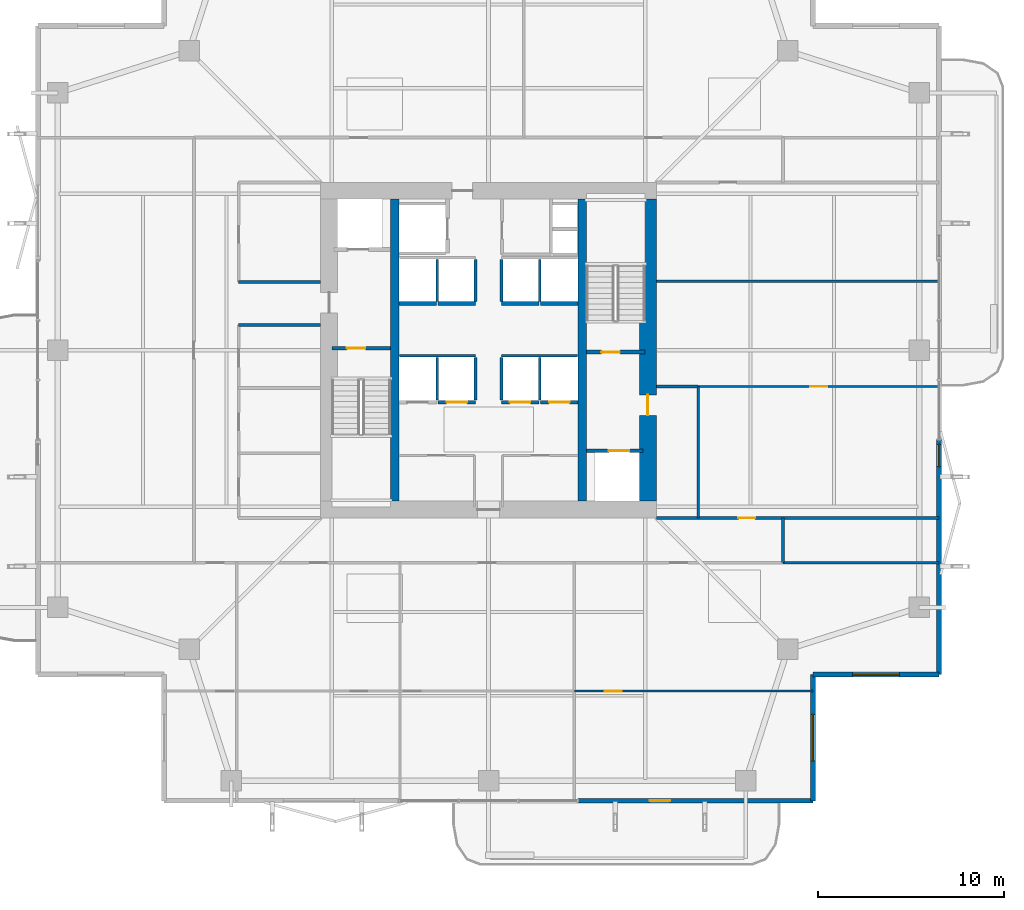
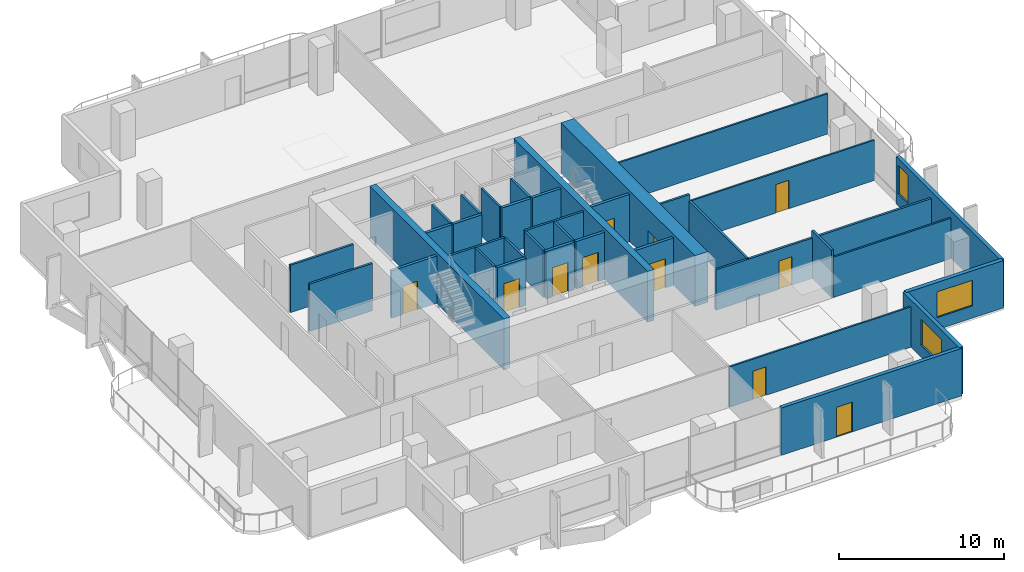
# One storey, part 19 of 24: 37 walls, 11 doors, 3 windows, 14 openings.
"""IFC4 building model written with IfcOpenShell, lengths in metres."""

import ifcopenshell
import ifcopenshell.guid

model = None  # the IFC model being written
_history = None  # IfcOwnerHistory: only IFC2X3 demands one
_inside = {}  # id of a spatial element -> (the spatial element, [elements in it])
_under = {}  # id of a project, library or spatial element -> (it, [spatial elements below it])
_declared = {}  # id of a project -> (the project, [libraries it declares])
_typed = {}  # id of a type object -> (the type object, [elements of that type])
_made_of = {}  # id of a material, layer set ... -> (it, [elements and type objects made of it])


def new_model(schema):
    """Start an empty IFC model of exactly this schema.

    Asked for "IFC4X3", IfcOpenShell would pick the latest addendum, in which some entities
    have other attributes; the version numbers below select the first issue.
    IFC2X3 requires an IfcOwnerHistory on every rooted entity: one is made here for all.
    """
    global model, _history
    if schema == "IFC4X3":
        model = ifcopenshell.file(schema_version=(4, 3, 0, 0))
    else:
        model = ifcopenshell.file(schema=schema)
    _inside.clear()
    _under.clear()
    _declared.clear()
    _typed.clear()
    _made_of.clear()
    _history = None
    if model.schema == "IFC2X3":
        org = make("IfcOrganization", Name="unknown")
        user = make(
            "IfcPersonAndOrganization",
            ThePerson=make("IfcPerson", FamilyName="unknown"),
            TheOrganization=org,
        )
        app = make(
            "IfcApplication",
            ApplicationDeveloper=org,
            Version="unknown",
            ApplicationFullName="unknown",
            ApplicationIdentifier="unknown",
        )
        _history = make(
            "IfcOwnerHistory",
            OwningUser=user,
            OwningApplication=app,
            ChangeAction="ADDED",
            CreationDate=0,
        )
    return model


def make(cls, **values):
    """One entity of the class cls with the attributes given. An attribute that is None is left unset."""
    return model.create_entity(
        cls, **{name: value for name, value in values.items() if value is not None}
    )


def rooted(cls, **values):
    """An entity with a GlobalId (a new one), such as an element, a storey or a relation."""
    return make(cls, GlobalId=ifcopenshell.guid.new(), OwnerHistory=_history, **values)


def si_unit(unit_type, name, prefix=None):
    """IfcSIUnit, for example si_unit("LENGTHUNIT", "METRE", prefix="MILLI")."""
    return make("IfcSIUnit", UnitType=unit_type, Prefix=prefix, Name=name)


def assignment(units):
    """IfcUnitAssignment: the units of a project."""
    return None if units is None else make("IfcUnitAssignment", Units=units)


def point(xyz):
    """IfcCartesianPoint."""
    return None if xyz is None else make("IfcCartesianPoint", Coordinates=xyz)


def direction(xyz):
    """IfcDirection."""
    return None if xyz is None else make("IfcDirection", DirectionRatios=xyz)


def frame(location, z_axis=None, x_axis=None):
    """IfcAxis2Placement3D, a coordinate frame: its origin and axes. An axis left out is left unset."""
    return make(
        "IfcAxis2Placement3D",
        Location=point(location),
        Axis=direction(z_axis),
        RefDirection=direction(x_axis),
    )


def frame_2d(location, x_axis=None):
    """IfcAxis2Placement2D, a coordinate frame in the plane: its origin and x axis."""
    return make(
        "IfcAxis2Placement2D", Location=point(location), RefDirection=direction(x_axis)
    )


def origin():
    """The frame at (0, 0, 0) with its axes left unset."""
    return frame((0.0, 0.0, 0.0))


def place(relative_to, where):
    """IfcLocalPlacement: puts the frame where relative to a parent placement (None: the world)."""
    return make(
        "IfcLocalPlacement", PlacementRelTo=relative_to, RelativePlacement=where
    )


def context(
    kind, dimensions, precision=None, world=None, true_north=None, identifier=None
):
    """IfcGeometricRepresentationContext, for example the 3D "Model" context."""
    return make(
        "IfcGeometricRepresentationContext",
        ContextIdentifier=identifier,
        ContextType=kind,
        CoordinateSpaceDimension=dimensions,
        Precision=precision,
        WorldCoordinateSystem=world,
        TrueNorth=true_north,
    )


def subcontext(parent, identifier, kind, view, scale=None):
    """IfcGeometricRepresentationSubContext, for example "Body" below "Model"."""
    return make(
        "IfcGeometricRepresentationSubContext",
        ContextIdentifier=identifier,
        ContextType=kind,
        ParentContext=parent,
        TargetScale=scale,
        TargetView=view,
    )


def project(units=None, contexts=None):
    """IfcProject with its units and contexts."""
    return rooted(
        "IfcProject",
        Name="project",
        RepresentationContexts=contexts,
        UnitsInContext=assignment(units),
    )


def spatial(cls, under=None, at=None, **own):
    """A site, building, storey or space (cls), placed at a placement, below another one or the project."""
    s = rooted(cls, ObjectPlacement=at, **own)
    if under is not None:
        _under.setdefault(under.id(), (under, []))[1].append(s)
    return s


def profile(cls, at=None, kind="AREA", **sizes):
    """A parametric profile (cls). Its sizes go by their IFC names, for example OverallWidth=200.0."""
    return make(cls, ProfileType=kind, Position=at, **sizes)


def rectangle(**sizes):
    """IfcRectangleProfileDef."""
    return profile("IfcRectangleProfileDef", **sizes)


def extrude(swept, where, along, depth):
    """IfcExtrudedAreaSolid: the profile swept, set in the frame where, extruded along a direction by depth."""
    return make(
        "IfcExtrudedAreaSolid",
        SweptArea=swept,
        Position=where,
        ExtrudedDirection=direction(along),
        Depth=depth,
    )


def shape(context_of_items, identifier, shape_type, items):
    """IfcShapeRepresentation: the items that make up one representation, for example the "Body"."""
    return make(
        "IfcShapeRepresentation",
        ContextOfItems=context_of_items,
        RepresentationIdentifier=identifier,
        RepresentationType=shape_type,
        Items=items,
    )


def material(Name=None, Category=None):
    """IfcMaterial."""
    return make("IfcMaterial", Name=Name, Category=Category)


def layer(
    of_material, thickness, ventilated=None, Name=None, Category=None, Priority=None
):
    """IfcMaterialLayer: one layer of a wall or slab, of a material (None: an air gap)."""
    return make(
        "IfcMaterialLayer",
        Material=of_material,
        LayerThickness=thickness,
        IsVentilated=ventilated,
        Name=Name,
        Category=Category,
        Priority=Priority,
    )


def layer_set(layers, Name=None):
    """IfcMaterialLayerSet."""
    return make("IfcMaterialLayerSet", MaterialLayers=layers, LayerSetName=Name)


def made_of(thing, what):
    """Note that an element or type object is made of a material, layer set ...; save() writes the relation."""
    if what is not None:
        _made_of.setdefault(what.id(), (what, []))[1].append(thing)
    return thing


def type_object(cls, material=None, **own):
    """A type object (cls), such as IfcWallType, which elements share."""
    return made_of(rooted(cls, **own), material)


def element(
    cls,
    number,
    at=None,
    inside=None,
    cuts=None,
    type_object=None,
    material=None,
    context=None,
    identifier="Body",
    shape_type=None,
    held_by="IfcProductDefinitionShape",
    body=None,
    shapes=None,
    **own,
):
    """One element of the class cls, such as IfcWall. Its Tag is "e" and its number.

    at: its placement. inside: the storey or other place that contains it. cuts: it is an
    opening in that element (IfcRelVoidsElement). A single representation is given by context,
    identifier, shape_type and body (its items); several are given by shapes. held_by: the class
    of the entity that holds the representations. save() writes the other relations.
    """
    e = rooted(cls, Tag="e%d" % number, ObjectPlacement=at, **own)
    if body is not None:
        shapes = [shape(context, identifier, shape_type, body)]
    if shapes is not None:
        e.Representation = make(held_by, Representations=shapes)
    if inside is not None:
        _inside.setdefault(inside.id(), (inside, []))[1].append(e)
    if cuts is not None:
        rooted(
            "IfcRelVoidsElement", RelatingBuildingElement=cuts, RelatedOpeningElement=e
        )
    if type_object is not None:
        _typed.setdefault(type_object.id(), (type_object, []))[1].append(e)
    return made_of(e, material)


def fill(opening, filler):
    """IfcRelFillsElement: the door or window that sits in an opening."""
    return rooted(
        "IfcRelFillsElement",
        RelatingOpeningElement=opening,
        RelatedBuildingElement=filler,
    )


def aggregate(whole, parts):
    """IfcRelAggregates: a whole, such as a stair, and the parts it consists of."""
    return rooted("IfcRelAggregates", RelatingObject=whole, RelatedObjects=parts)


def save(model, path):
    """Write the relations noted so far, then the file.

    IfcRelAggregates (storeys below a building ...), IfcRelContainedInSpatialStructure (elements
    in a storey), IfcRelDefinesByType, IfcRelAssociatesMaterial and IfcRelDeclares: one each for
    every whole, place, type object, material and project.
    """
    for whole, parts in _under.values():
        aggregate(whole, parts)
    for where, things in _inside.values():
        rooted(
            "IfcRelContainedInSpatialStructure",
            RelatedElements=things,
            RelatingStructure=where,
        )
    for kind, things in _typed.values():
        rooted("IfcRelDefinesByType", RelatedObjects=things, RelatingType=kind)
    for what, things in _made_of.values():
        rooted("IfcRelAssociatesMaterial", RelatedObjects=things, RelatingMaterial=what)
    for by, libraries in _declared.values():
        rooted("IfcRelDeclares", RelatingContext=by, RelatedDefinitions=libraries)
    model.write(path)


model = new_model("IFC4")

# Units and contexts
model_context = context("Model", 3, precision=1e-05, world=origin(), true_north=direction((0.0, 1.0)))
body_context = subcontext(model_context, "Body", "Model", "MODEL_VIEW")
ifc_project = project(units=[si_unit("LENGTHUNIT", "METRE"), si_unit("AREAUNIT", "SQUARE_METRE"), si_unit("VOLUMEUNIT", "CUBIC_METRE"), si_unit("PLANEANGLEUNIT", "RADIAN"), si_unit("MASSUNIT", "GRAM", prefix="KILO")], contexts=[model_context])

# Site, building, storey
site_placement = place(None, origin())
site = spatial("IfcSite", under=ifc_project, at=site_placement, CompositionType="ELEMENT")
building_placement = place(site_placement, origin())
building = spatial("IfcBuilding", under=site, at=building_placement, Name="Belovzor Exchange Tower", CompositionType="ELEMENT")
storey_placement = place(building_placement, frame((0.0, 0.0, 168.300048828125)))
storey = spatial("IfcBuildingStorey", under=building, at=storey_placement, Name="L41", CompositionType="ELEMENT", Elevation=168.300048828125)

# Wall, opening, door
ifc_material_1 = material(Name="Acoustic Plasterboard on Galvanised Studs", Category="gypsum")
ifc_layer_1 = layer(ifc_material_1, 0.1201171875)
ifc_layer_set_1 = layer_set([ifc_layer_1], Name="Acoustic Plasterboard on Galvanised Studs")
wall_type_1 = type_object("IfcWallType", Name="Acoustic Double-Stud Partition Wall 120", PredefinedType="PARTITIONING", material=ifc_layer_set_1)
wall_1_placement = place(storey_placement, frame((33.404052734375, 10.51708984375, 0.0), z_axis=(0.0, 0.0, 1.0), x_axis=(1.0, 0.0, 0.0)))
wall_1 = element("IfcWall", 1, at=wall_1_placement, inside=storey, type_object=wall_type_1, Name="W-P120 Partition Wall W-L41-SHDIV-3", PredefinedType="PARTITIONING", context=body_context, shape_type="SweptSolid", body=[
    extrude(rectangle(XDim=12.7958984375, YDim=0.1201171875, at=frame_2d((6.39794921875, 0.0))), origin(), (0.0, 0.0, 1.0), 2.97998046875),
])
opening_1_placement = place(wall_1_placement, frame((1.636962890625, 0.0, 0.0)))
opening_1 = element("IfcOpeningElement", 2, at=opening_1_placement, cuts=wall_1, Name="Opening D-INT-090", PredefinedType="OPENING", context=body_context, shape_type="SweptSolid", body=[
    extrude(rectangle(XDim=0.89990234375, YDim=2.10009765625, at=frame_2d((0.449951171875, 1.050048828125))), frame((0.0, 0.070068359375, 0.0), z_axis=(0.0, -1.0, 0.0), x_axis=(1.0, 0.0, 0.0)), (0.0, 0.0, 1.0), 0.14013671875),
])
ifc_material_2 = material(Name="Veneered Hardwood Acoustic Leaf", Category="wood")
door_type_1 = type_object("IfcDoorType", Name="Trading Suite Acoustic Single Door 900x2100", OperationType="NOTDEFINED", PredefinedType="DOOR", material=ifc_material_2)
door_1_placement = place(opening_1_placement, origin())
door_1 = element("IfcDoor", 3, at=door_1_placement, inside=storey, type_object=door_type_1, Name="D-INT-090 Trading Suite Acoustic Single Door 900x2100", OperationType="SINGLE_SWING_LEFT", OverallHeight=2.10009765625, OverallWidth=0.89990234375, PredefinedType="DOOR", context=body_context, shape_type="SweptSolid", body=[
    extrude(rectangle(XDim=0.89990234375, YDim=2.10009765625, at=frame_2d((0.449951171875, 1.050048828125))), frame((0.0, 0.02490234375, 0.0), z_axis=(0.0, -1.0, 0.0), x_axis=(1.0, 0.0, 0.0)), (0.0, 0.0, 1.0), 0.050048828125),
])
fill(opening_1, door_1)

wall_2_placement = place(storey_placement, frame((40.050048828125, 26.85009765625, 0.0), z_axis=(0.0, 0.0, 1.0), x_axis=(1.0, 0.0, 0.0)))
wall_2 = element("IfcWall", 4, at=wall_2_placement, inside=storey, type_object=wall_type_1, Name="W-P120 Partition Wall W-L41-EDIV-1", PredefinedType="PARTITIONING", context=body_context, shape_type="SweptSolid", body=[
    extrude(rectangle(XDim=12.919921875, YDim=0.1201171875, at=frame_2d((6.4599609375, 0.0))), origin(), (0.0, 0.0, 1.0), 2.97998046875),
])
opening_2_placement = place(wall_2_placement, frame((6.010009765625, 0.0, 0.0)))
opening_2 = element("IfcOpeningElement", 5, at=opening_2_placement, cuts=wall_2, Name="Opening D-INT-090", PredefinedType="OPENING", context=body_context, shape_type="SweptSolid", body=[
    extrude(rectangle(XDim=0.89990234375, YDim=2.10009765625, at=frame_2d((0.449951171875, 1.050048828125))), frame((0.0, 0.070068359375, 0.0), z_axis=(0.0, -1.0, 0.0), x_axis=(1.0, 0.0, 0.0)), (0.0, 0.0, 1.0), 0.14013671875),
])
door_2_placement = place(opening_2_placement, origin())
door_2 = element("IfcDoor", 6, at=door_2_placement, inside=storey, type_object=door_type_1, Name="D-INT-090 Trading Suite Acoustic Single Door 900x2100", OperationType="SINGLE_SWING_LEFT", OverallHeight=2.10009765625, OverallWidth=0.89990234375, PredefinedType="DOOR", context=body_context, shape_type="SweptSolid", body=[
    extrude(rectangle(XDim=0.89990234375, YDim=2.10009765625, at=frame_2d((0.449951171875, 1.050048828125))), frame((0.0, 0.02490234375, 0.0), z_axis=(0.0, -1.0, 0.0), x_axis=(1.0, 0.0, 0.0)), (0.0, 0.0, 1.0), 0.050048828125),
])
fill(opening_2, door_2)

# Walls
wall_3_placement = place(storey_placement, frame((37.800048828125, 32.5, 0.0), z_axis=(0.0, 0.0, 1.0), x_axis=(1.0, 0.0, 0.0)))
element("IfcWall", 7, at=wall_3_placement, inside=storey, type_object=wall_type_1, Name="W-P120 Partition Wall W-L41-EDIV-2", PredefinedType="PARTITIONING", context=body_context, shape_type="SweptSolid", body=[
    extrude(rectangle(XDim=15.169921875, YDim=0.1201171875, at=frame_2d((7.5849609375, 0.0))), origin(), (0.0, 0.0, 1.0), 2.97998046875),
])
wall_4_placement = place(storey_placement, frame((44.60009765625, 17.39990234375, 0.0), z_axis=(0.0, 0.0, 1.0), x_axis=(1.0, 0.0, 0.0)))
element("IfcWall", 8, at=wall_4_placement, inside=storey, type_object=wall_type_1, Name="W-P120 Partition Wall W-L41-END-SE", PredefinedType="PARTITIONING", context=body_context, shape_type="SweptSolid", body=[
    extrude(rectangle(XDim=8.369873046875, YDim=0.1201171875, at=frame_2d((4.18505859375, 0.0))), origin(), (0.0, 0.0, 1.0), 2.97998046875),
])
ifc_material_3 = material(Name="Fire-Rated Gypsum Block and Mineral Wool", Category="gypsum")
ifc_layer_2 = layer(ifc_material_3, 0.14990234375)
ifc_layer_set_2 = layer_set([ifc_layer_2], Name="Fire-Rated Gypsum Block and Mineral Wool")
wall_type_2 = type_object("IfcWallType", Name="Fire-Rated Gypsum Block Corridor Wall 150", PredefinedType="PARTITIONING", material=ifc_layer_set_2)
for number, where, z_axis, x_axis, name in (
    (9, (15.39990234375, 30.14990234375, 0.0), (0.0, 0.0, 1.0), (1.0, 0.0, 0.0), "W-P150 Partition Wall W-L41-WIC-N"),
    (10, (15.39990234375, 32.449951171875, 0.0), (0.0, 0.0, 1.0), (1.0, 0.0, 0.0), "W-P150 Partition Wall W-L41-CFW-N"),
):
    element("IfcWall", number, at=place(storey_placement, frame(where, z_axis=z_axis, x_axis=x_axis)), inside=storey, type_object=wall_type_2, Name=name, PredefinedType="PARTITIONING", context=body_context, shape_type="SweptSolid", body=[
        extrude(rectangle(XDim=4.400146484375, YDim=0.14990234375, at=frame_2d((2.2001953125, 0.0))), origin(), (0.0, 0.0, 1.0), 3.494873046875),
    ])
wall_5_placement = place(storey_placement, frame((37.800048828125, 26.85009765625, 0.0), z_axis=(0.0, 0.0, 1.0), x_axis=(1.0, 0.0, 0.0)))
element("IfcWall", 11, at=wall_5_placement, inside=storey, type_object=wall_type_2, Name="W-P150 Partition Wall W-L41-CFE-N", PredefinedType="PARTITIONING", context=body_context, shape_type="SweptSolid", body=[
    extrude(rectangle(XDim=2.25, YDim=0.14990234375, at=frame_2d((1.125, 0.0))), origin(), (0.0, 0.0, 1.0), 3.494873046875),
])
wall_6_placement = place(storey_placement, frame((40.050048828125, 19.800048828125, 0.0), z_axis=(0.0, 0.0, 1.0), x_axis=(0.0, 1.0, 0.0)))
element("IfcWall", 12, at=wall_6_placement, inside=storey, type_object=wall_type_2, Name="W-P150 Partition Wall W-L41-CFE-E", PredefinedType="PARTITIONING", context=body_context, shape_type="SweptSolid", body=[
    extrude(rectangle(XDim=7.050048828125, YDim=0.14990234375, at=frame_2d((3.52490234375, 0.0))), origin(), (0.0, 0.0, 1.0), 3.030029296875),
])
wall_7_placement = place(storey_placement, frame((44.60009765625, 17.39990234375, 0.0), z_axis=(0.0, 0.0, 1.0), x_axis=(0.0, 1.0, 0.0)))
element("IfcWall", 13, at=wall_7_placement, inside=storey, type_object=wall_type_2, Name="W-P150 Partition Wall W-L41-END-ES", PredefinedType="PARTITIONING", context=body_context, shape_type="SweptSolid", body=[
    extrude(rectangle(XDim=2.400146484375, YDim=0.14990234375, at=frame_2d((1.2001953125, 0.0))), origin(), (0.0, 0.0, 1.0), 3.494873046875),
])

# Wall, opening, door
wall_8_placement = place(storey_placement, frame((37.800048828125, 19.800048828125, 0.0), z_axis=(0.0, 0.0, 1.0), x_axis=(1.0, 0.0, 0.0)))
wall_8 = element("IfcWall", 14, at=wall_8_placement, inside=storey, type_object=wall_type_2, Name="W-P150 Partition Wall W-L41-CS-IN", PredefinedType="PARTITIONING", context=body_context, shape_type="SweptSolid", body=[
    extrude(rectangle(XDim=15.169921875, YDim=0.14990234375, at=frame_2d((7.5849609375, 0.0))), origin(), (0.0, 0.0, 1.0), 2.97998046875),
])
opening_3_placement = place(wall_8_placement, frame((4.39990234375, 0.0, 0.0)))
opening_3 = element("IfcOpeningElement", 15, at=opening_3_placement, cuts=wall_8, Name="Opening D-INT-090", PredefinedType="OPENING", context=body_context, shape_type="SweptSolid", body=[
    extrude(rectangle(XDim=0.89990234375, YDim=2.10009765625, at=frame_2d((0.449951171875, 1.050048828125))), frame((0.0, 0.0849609375, 0.0), z_axis=(0.0, -1.0, 0.0), x_axis=(1.0, 0.0, 0.0)), (0.0, 0.0, 1.0), 0.169921875),
])
door_3_placement = place(opening_3_placement, origin())
door_3 = element("IfcDoor", 16, at=door_3_placement, inside=storey, type_object=door_type_1, Name="D-INT-090 Trading Suite Acoustic Single Door 900x2100", OperationType="SINGLE_SWING_LEFT", OverallHeight=2.10009765625, OverallWidth=0.89990234375, PredefinedType="DOOR", context=body_context, shape_type="SweptSolid", body=[
    extrude(rectangle(XDim=0.89990234375, YDim=2.10009765625, at=frame_2d((0.449951171875, 1.050048828125))), frame((0.0, 0.02490234375, 0.0), z_axis=(0.0, -1.0, 0.0), x_axis=(1.0, 0.0, 0.0)), (0.0, 0.0, 1.0), 0.050048828125),
])
fill(opening_3, door_3)

# Wall, opening, window
ifc_material_4 = material(Name="Precast concrete C40/50", Category="concrete")
ifc_layer_3 = layer(ifc_material_4, 0.280029296875)
ifc_layer_set_3 = layer_set([ifc_layer_3], Name="Precast concrete C40/50")
wall_type_3 = type_object("IfcWallType", Name="Precast Concrete Notched Corner Frame Wall 280", PredefinedType="SOLIDWALL", material=ifc_layer_set_3)
wall_9_placement = place(storey_placement, frame((52.969970703125, 11.39990234375, 0.0), z_axis=(0.0, 0.0, 1.0), x_axis=(-1.0, 0.0, 0.0)))
wall_9 = element("IfcWall", 17, at=wall_9_placement, inside=storey, type_object=wall_type_3, Name="W-CRN280 Precast Concrete Notched Corner Frame Wall 280 L41", PredefinedType="SOLIDWALL", context=body_context, shape_type="SweptSolid", body=[
    extrude(rectangle(XDim=6.77001953125, YDim=0.280029296875, at=frame_2d((3.385009765625, 0.0))), origin(), (0.0, 0.0, 1.0), 3.494873046875),
])
opening_4_placement = place(wall_9_placement, frame((2.135009765625, 0.0, 0.89990234375)))
opening_4 = element("IfcOpeningElement", 18, at=opening_4_placement, cuts=wall_9, Name="Opening WN-CRN250", PredefinedType="OPENING", context=body_context, shape_type="SweptSolid", body=[
    extrude(rectangle(XDim=2.5, YDim=1.89990234375, at=frame_2d((1.25, 0.949951171875))), frame((0.0, 0.14990234375, 0.0), z_axis=(0.0, -1.0, 0.0), x_axis=(1.0, 0.0, 0.0)), (0.0, 0.0, 1.0), 0.300048828125),
])
ifc_material_5 = material(Name="Thermally Broken Aluminium and Triple Glazing", Category="aluminium")
window_type_1 = type_object("IfcWindowType", Name="Streamline Moderne Corner Wrap Ribbon Window 2500x1900", PartitioningType="SINGLE_PANEL", PredefinedType="WINDOW", material=ifc_material_5)
window_1_placement = place(opening_4_placement, origin())
window_1 = element("IfcWindow", 19, at=window_1_placement, inside=storey, type_object=window_type_1, Name="WN-CRN250 Streamline Moderne Corner Wrap Ribbon Window 2500x1900", OverallHeight=1.89990234375, OverallWidth=2.5, PartitioningType="SINGLE_PANEL", PredefinedType="WINDOW", context=body_context, shape_type="SweptSolid", body=[
    extrude(rectangle(XDim=2.5, YDim=1.89990234375, at=frame_2d((1.25, 0.949951171875))), frame((0.0, 0.030029296875, 0.0), z_axis=(0.0, -1.0, 0.0), x_axis=(1.0, 0.0, 0.0)), (0.0, 0.0, 1.0), 0.06005859375),
])
fill(opening_4, window_1)

wall_10_placement = place(storey_placement, frame((46.199951171875, 11.39990234375, 0.0), z_axis=(0.0, 0.0, 1.0), x_axis=(0.0, -1.0, 0.0)))
wall_10 = element("IfcWall", 20, at=wall_10_placement, inside=storey, type_object=wall_type_3, Name="W-CRN280 Precast Concrete Notched Corner Frame Wall 280 L41", PredefinedType="SOLIDWALL", context=body_context, shape_type="SweptSolid", body=[
    extrude(rectangle(XDim=6.77001953125, YDim=0.280029296875, at=frame_2d((3.385009765625, 0.0))), origin(), (0.0, 0.0, 1.0), 3.494873046875),
])
opening_5_placement = place(wall_10_placement, frame((2.135009765625, 0.0, 0.89990234375)))
opening_5 = element("IfcOpeningElement", 21, at=opening_5_placement, cuts=wall_10, Name="Opening WN-CRN250", PredefinedType="OPENING", context=body_context, shape_type="SweptSolid", body=[
    extrude(rectangle(XDim=2.5, YDim=1.89990234375, at=frame_2d((1.25, 0.949951171875))), frame((0.0, 0.14990234375, 0.0), z_axis=(0.0, -1.0, 0.0), x_axis=(1.0, 0.0, 0.0)), (0.0, 0.0, 1.0), 0.300048828125),
])
window_2_placement = place(opening_5_placement, origin())
window_2 = element("IfcWindow", 22, at=window_2_placement, inside=storey, type_object=window_type_1, Name="WN-CRN250 Streamline Moderne Corner Wrap Ribbon Window 2500x1900", OverallHeight=1.89990234375, OverallWidth=2.5, PartitioningType="SINGLE_PANEL", PredefinedType="WINDOW", context=body_context, shape_type="SweptSolid", body=[
    extrude(rectangle(XDim=2.5, YDim=1.89990234375, at=frame_2d((1.25, 0.949951171875))), frame((0.0, 0.030029296875, 0.0), z_axis=(0.0, -1.0, 0.0), x_axis=(1.0, 0.0, 0.0)), (0.0, 0.0, 1.0), 0.06005859375),
])
fill(opening_5, window_2)

# Wall, opening, door
ifc_material_6 = material(Name="Precast concrete C40/50", Category="concrete")
ifc_layer_4 = layer(ifc_material_6, 0.260009765625)
ifc_layer_set_4 = layer_set([ifc_layer_4], Name="Precast concrete C40/50")
wall_type_4 = type_object("IfcWallType", Name="Precast Concrete Perimeter Loggia Frame Wall 260", PredefinedType="SOLIDWALL", material=ifc_layer_set_4)
wall_11_placement = place(storey_placement, frame((46.199951171875, 4.6298828125, 0.0), z_axis=(0.0, 0.0, 1.0), x_axis=(-1.0, 0.0, 0.0)))
wall_11 = element("IfcWall", 23, at=wall_11_placement, inside=storey, type_object=wall_type_4, Name="W-EXT260 Precast Concrete Perimeter Loggia Frame Wall 260 L41", PredefinedType="SOLIDWALL", context=body_context, shape_type="SweptSolid", body=[
    extrude(rectangle(XDim=12.599853515625, YDim=0.260009765625, at=frame_2d((6.2998046875, 0.0))), origin(), (0.0, 0.0, 1.0), 3.494873046875),
])
opening_6_placement = place(wall_11_placement, frame((7.662109375, 0.0, 0.0)))
opening_6 = element("IfcOpeningElement", 24, at=opening_6_placement, cuts=wall_11, Name="Opening D-BAL110", PredefinedType="OPENING", context=body_context, shape_type="SweptSolid", body=[
    extrude(rectangle(XDim=1.10009765625, YDim=2.199951171875, at=frame_2d((0.550048828125, 1.10009765625))), frame((0.0, 0.139892578125, 0.0), z_axis=(0.0, -1.0, 0.0), x_axis=(1.0, 0.0, 0.0)), (0.0, 0.0, 1.0), 0.280029296875),
])
ifc_material_7 = material(Name="Thermally Broken Anodised Aluminium and Laminated Glass", Category="aluminium")
door_type_2 = type_object("IfcDoorType", Name="Planted Loggia Terrace Glazed Door 1100x2200", OperationType="SINGLE_SWING_LEFT", PredefinedType="DOOR", material=ifc_material_7)
door_4_placement = place(opening_6_placement, origin())
door_4 = element("IfcDoor", 25, at=door_4_placement, inside=storey, type_object=door_type_2, Name="D-BAL110 Balcony Terrace Door L41 S", OperationType="SINGLE_SWING_LEFT", OverallHeight=2.199951171875, OverallWidth=1.10009765625, PredefinedType="DOOR", context=body_context, shape_type="SweptSolid", body=[
    extrude(rectangle(XDim=1.10009765625, YDim=2.199951171875, at=frame_2d((0.550048828125, 1.10009765625))), frame((0.0, 0.02490234375, 0.0), z_axis=(0.0, -1.0, 0.0), x_axis=(1.0, 0.0, 0.0)), (0.0, 0.0, 1.0), 0.050048828125),
])
fill(opening_6, door_4)

# Wall, opening, window
wall_12_placement = place(storey_placement, frame((52.969970703125, 24.0, 0.0), z_axis=(0.0, 0.0, 1.0), x_axis=(0.0, -1.0, 0.0)))
wall_12 = element("IfcWall", 26, at=wall_12_placement, inside=storey, type_object=wall_type_4, Name="W-EXT260 Precast Concrete Perimeter Loggia Frame Wall 260 L41", PredefinedType="SOLIDWALL", context=body_context, shape_type="SweptSolid", body=[
    extrude(rectangle(XDim=12.60009765625, YDim=0.260009765625, at=frame_2d((6.300048828125, 0.0))), origin(), (0.0, 0.0, 1.0), 3.494873046875),
])
opening_7_placement = place(wall_12_placement, frame((0.25, 0.0, 0.89990234375)))
opening_7 = element("IfcOpeningElement", 27, at=opening_7_placement, cuts=wall_12, Name="Opening WN-CRN120", PredefinedType="OPENING", context=body_context, shape_type="SweptSolid", body=[
    extrude(rectangle(XDim=1.199951171875, YDim=2.10009765625, at=frame_2d((0.60009765625, 1.050048828125))), frame((0.0, 0.139892578125, 0.0), z_axis=(0.0, -1.0, 0.0), x_axis=(1.0, 0.0, 0.0)), (0.0, 0.0, 1.0), 0.280029296875),
])
ifc_material_8 = material(Name="Thermally Broken Aluminium and Triple Glazing", Category="aluminium")
window_type_2 = type_object("IfcWindowType", Name="Streamline Notched Corner Window 1200x2100", PartitioningType="SINGLE_PANEL", PredefinedType="WINDOW", material=ifc_material_8)
window_3_placement = place(opening_7_placement, origin())
window_3 = element("IfcWindow", 28, at=window_3_placement, inside=storey, type_object=window_type_2, Name="WN-CRN120 Streamline Notched Corner Window 1200x2100", OverallHeight=2.10009765625, OverallWidth=1.199951171875, PartitioningType="SINGLE_PANEL", PredefinedType="WINDOW", context=body_context, shape_type="SweptSolid", body=[
    extrude(rectangle(XDim=1.199951171875, YDim=2.10009765625, at=frame_2d((0.60009765625, 1.050048828125))), frame((0.0, 0.030029296875, 0.0), z_axis=(0.0, -1.0, 0.0), x_axis=(1.0, 0.0, 0.0)), (0.0, 0.0, 1.0), 0.06005859375),
])
fill(opening_7, window_3)

# Walls
ifc_material_9 = material(Name="Concrete C50/60", Category="concrete")
ifc_layer_5 = layer(ifc_material_9, 0.449951171875)
ifc_layer_set_5 = layer_set([ifc_layer_5], Name="Concrete C50/60")
wall_type_5 = type_object("IfcWallType", Name="Reinforced Concrete Core Internal Web Wall 450", PredefinedType="SHEAR", material=ifc_layer_set_5)
for number, where, z_axis, x_axis, name in (
    (29, (23.77490234375, 20.699951171875, 0.0), (0.0, 0.0, 1.0), (0.0, 1.0, 0.0), "CW-W045 Core Internal Web Wall L41 WL"),
    (30, (33.824951171875, 20.699951171875, 0.0), (0.0, 0.0, 1.0), (0.0, 1.0, 0.0), "CW-W045 Core Internal Web Wall L41 ER"),
):
    element("IfcWall", number, at=place(storey_placement, frame(where, z_axis=z_axis, x_axis=x_axis)), inside=storey, type_object=wall_type_5, Name=name, PredefinedType="SHEAR", context=body_context, shape_type="SweptSolid", body=[
        extrude(rectangle(XDim=16.199951171875, YDim=0.449951171875, at=frame_2d((8.10009765625, 0.0))), origin(), (0.0, 0.0, 1.0), 3.75),
    ])
ifc_material_10 = material(Name="Concrete C50/60", Category="concrete")
ifc_layer_6 = layer(ifc_material_10, 0.14990234375)
ifc_layer_set_6 = layer_set([ifc_layer_6], Name="Concrete C50/60")
wall_type_6 = type_object("IfcWallType", Name="Reinforced Concrete Core Riser Shear Wall 150", PredefinedType="SHEAR", material=ifc_layer_set_6)
for number, where, z_axis, x_axis, name in (
    (31, (24.02001953125, 28.5, 0.0), (0.0, 0.0, 1.0), (1.0, 0.0, 0.0), "W-C150S Core Shaft Wall W-SHB-L41-PLM-NW"),
    (32, (29.5, 28.5, 0.0), (0.0, 0.0, 1.0), (1.0, 0.0, 0.0), "W-C150S Core Shaft Wall W-SHB-L41-PLM-NE"),
):
    element("IfcWall", number, at=place(storey_placement, frame(where, z_axis=z_axis, x_axis=x_axis)), inside=storey, type_object=wall_type_6, Name=name, PredefinedType="SHEAR", context=body_context, shape_type="SweptSolid", body=[
        extrude(rectangle(XDim=4.080078125, YDim=0.14990234375, at=frame_2d((2.0400390625, 0.0))), origin(), (0.0, 0.0, 1.0), 3.494873046875),
    ])
for number, where, z_axis, x_axis, name in (
    (33, (26.050048828125, 26.1201171875, 0.0), (0.0, 0.0, 1.0), (0.0, 1.0, 0.0), "W-C150S Core Shaft Wall W-SHD-L41-PLM-1"),
    (34, (28.10009765625, 26.1201171875, 0.0), (0.0, 0.0, 1.0), (0.0, 1.0, 0.0), "W-C150S Core Shaft Wall W-SHD-L41-PLM-2"),
    (35, (29.5, 26.1201171875, 0.0), (0.0, 0.0, 1.0), (0.0, 1.0, 0.0), "W-C150S Core Shaft Wall W-SHD-L41-PLM-3"),
    (36, (31.550048828125, 26.1201171875, 0.0), (0.0, 0.0, 1.0), (0.0, 1.0, 0.0), "W-C150S Core Shaft Wall W-SHD-L41-PLM-4"),
):
    element("IfcWall", number, at=place(storey_placement, frame(where, z_axis=z_axis, x_axis=x_axis)), inside=storey, type_object=wall_type_6, Name=name, PredefinedType="SHEAR", context=body_context, shape_type="SweptSolid", body=[
        extrude(rectangle(XDim=2.27978515625, YDim=0.14990234375, at=frame_2d((1.139892578125, 0.0))), origin(), (0.0, 0.0, 1.0), 3.494873046875),
    ])
for number, where, z_axis, x_axis, name in (
    (37, (26.050048828125, 31.419921875, 0.0), (0.0, 0.0, 1.0), (0.0, 1.0, 0.0), "W-C150S Core Shaft Wall W-SHD-L41-PLH-1"),
    (38, (28.10009765625, 31.419921875, 0.0), (0.0, 0.0, 1.0), (0.0, 1.0, 0.0), "W-C150S Core Shaft Wall W-SHD-L41-PLH-2"),
    (39, (29.5, 31.419921875, 0.0), (0.0, 0.0, 1.0), (0.0, 1.0, 0.0), "W-C150S Core Shaft Wall W-SHD-L41-PLH-3"),
    (40, (31.550048828125, 31.419921875, 0.0), (0.0, 0.0, 1.0), (0.0, 1.0, 0.0), "W-C150S Core Shaft Wall W-SHD-L41-PLH-4"),
):
    element("IfcWall", number, at=place(storey_placement, frame(where, z_axis=z_axis, x_axis=x_axis)), inside=storey, type_object=wall_type_6, Name=name, PredefinedType="SHEAR", context=body_context, shape_type="SweptSolid", body=[
        extrude(rectangle(XDim=2.239990234375, YDim=0.14990234375, at=frame_2d((1.1201171875, 0.0))), origin(), (0.0, 0.0, 1.0), 3.494873046875),
    ])

# Wall, opening, door
ifc_material_11 = material(Name="Concrete C50/60", Category="concrete")
ifc_layer_7 = layer(ifc_material_11, 0.199951171875)
ifc_layer_set_7 = layer_set([ifc_layer_7], Name="Concrete C50/60")
wall_type_7 = type_object("IfcWallType", Name="Reinforced Concrete Core Shaft Shear Wall 200", PredefinedType="SHEAR", material=ifc_layer_set_7)
wall_13_placement = place(storey_placement, frame((20.39990234375, 28.89990234375, 0.0), z_axis=(0.0, 0.0, 1.0), x_axis=(1.0, 0.0, 0.0)))
wall_13 = element("IfcWall", 41, at=wall_13_placement, inside=storey, type_object=wall_type_7, Name="W-C200S Core Shaft Wall W-CORE-L41-FFLW1", PredefinedType="SHEAR", context=body_context, shape_type="SweptSolid", body=[
    extrude(rectangle(XDim=3.150146484375, YDim=0.199951171875, at=frame_2d((1.5751953125, 0.0))), origin(), (0.0, 0.0, 1.0), 3.494873046875),
])
opening_8_placement = place(wall_13_placement, frame((0.800048828125, 0.0, 0.0)))
opening_8 = element("IfcOpeningElement", 42, at=opening_8_placement, cuts=wall_13, Name="Opening D-FD90-100", PredefinedType="OPENING", context=body_context, shape_type="SweptSolid", body=[
    extrude(rectangle(XDim=1.0, YDim=2.10009765625, at=frame_2d((0.5, 1.050048828125))), frame((0.0, 0.10986328125, 0.0), z_axis=(0.0, -1.0, 0.0), x_axis=(1.0, 0.0, 0.0)), (0.0, 0.0, 1.0), 0.219970703125),
])
ifc_material_12 = material(Name="Fire-Rated Galvanised Steel Leaf", Category="steel")
door_type_3 = type_object("IfcDoorType", Name="Protected Stairwell Single Fire Door 1000x2100", OperationType="NOTDEFINED", PredefinedType="DOOR", material=ifc_material_12)
door_5_placement = place(opening_8_placement, origin())
door_5 = element("IfcDoor", 43, at=door_5_placement, inside=storey, type_object=door_type_3, Name="D-FD90-100 Protected Stairwell Single Fire Door 1000x2100", OperationType="SINGLE_SWING_RIGHT", OverallHeight=2.10009765625, OverallWidth=1.0, PredefinedType="DOOR", context=body_context, shape_type="SweptSolid", body=[
    extrude(rectangle(XDim=1.0, YDim=2.10009765625, at=frame_2d((0.5, 1.050048828125))), frame((0.0, 0.02490234375, 0.0), z_axis=(0.0, -1.0, 0.0), x_axis=(1.0, 0.0, 0.0)), (0.0, 0.0, 1.0), 0.050048828125),
])
fill(opening_8, door_5)

wall_14_placement = place(storey_placement, frame((34.050048828125, 28.699951171875, 0.0), z_axis=(0.0, 0.0, 1.0), x_axis=(1.0, 0.0, 0.0)))
wall_14 = element("IfcWall", 44, at=wall_14_placement, inside=storey, type_object=wall_type_7, Name="W-C200S Core Shaft Wall W-CORE-L41-FFLE2", PredefinedType="SHEAR", context=body_context, shape_type="SweptSolid", body=[
    extrude(rectangle(XDim=3.14990234375, YDim=0.199951171875, at=frame_2d((1.574951171875, 0.0))), origin(), (0.0, 0.0, 1.0), 3.494873046875),
])
opening_9_placement = place(wall_14_placement, frame((0.800048828125, 0.0, 0.0)))
opening_9 = element("IfcOpeningElement", 45, at=opening_9_placement, cuts=wall_14, Name="Opening D-FD90-100", PredefinedType="OPENING", context=body_context, shape_type="SweptSolid", body=[
    extrude(rectangle(XDim=1.0, YDim=2.10009765625, at=frame_2d((0.5, 1.050048828125))), frame((0.0, 0.10986328125, 0.0), z_axis=(0.0, -1.0, 0.0), x_axis=(1.0, 0.0, 0.0)), (0.0, 0.0, 1.0), 0.219970703125),
])
door_6_placement = place(opening_9_placement, origin())
door_6 = element("IfcDoor", 46, at=door_6_placement, inside=storey, type_object=door_type_3, Name="D-FD90-100 Protected Stairwell Single Fire Door 1000x2100", OperationType="SINGLE_SWING_LEFT", OverallHeight=2.10009765625, OverallWidth=1.0, PredefinedType="DOOR", context=body_context, shape_type="SweptSolid", body=[
    extrude(rectangle(XDim=1.0, YDim=2.10009765625, at=frame_2d((0.5, 1.050048828125))), frame((0.0, 0.02490234375, 0.0), z_axis=(0.0, -1.0, 0.0), x_axis=(1.0, 0.0, 0.0)), (0.0, 0.0, 1.0), 0.050048828125),
])
fill(opening_9, door_6)

wall_15_placement = place(storey_placement, frame((34.050048828125, 23.39990234375, 0.0), z_axis=(0.0, 0.0, 1.0), x_axis=(1.0, 0.0, 0.0)))
wall_15 = element("IfcWall", 47, at=wall_15_placement, inside=storey, type_object=wall_type_7, Name="W-C200S Core Shaft Wall W-SH-L41-FFL-02", PredefinedType="SHEAR", context=body_context, shape_type="SweptSolid", body=[
    extrude(rectangle(XDim=3.050048828125, YDim=0.199951171875, at=frame_2d((1.52490234375, 0.0))), origin(), (0.0, 0.0, 1.0), 3.494873046875),
])
opening_10_placement = place(wall_15_placement, frame((1.199951171875, 0.0, 0.0)))
opening_10 = element("IfcOpeningElement", 48, at=opening_10_placement, cuts=wall_15, Name="Opening LD-110", PredefinedType="OPENING", context=body_context, shape_type="SweptSolid", body=[
    extrude(rectangle(XDim=1.10009765625, YDim=2.14990234375, at=frame_2d((0.550048828125, 1.074951171875))), frame((0.0, 0.10986328125, 0.0), z_axis=(0.0, -1.0, 0.0), x_axis=(1.0, 0.0, 0.0)), (0.0, 0.0, 1.0), 0.219970703125),
])
ifc_material_13 = material(Name="Stainless Steel Grade 304", Category="steel")
door_type_4 = type_object("IfcDoorType", Name="Automated Stainless Steel Lift Landing Door 1100x2150", OperationType="SLIDING_TO_RIGHT", PredefinedType="DOOR", material=ifc_material_13)
door_7_placement = place(opening_10_placement, origin())
door_7 = element("IfcDoor", 49, at=door_7_placement, inside=storey, type_object=door_type_4, Name="LD-110 Automated Stainless Steel Lift Landing Door 1100x2150", OperationType="SLIDING_TO_RIGHT", OverallHeight=2.14990234375, OverallWidth=1.10009765625, PredefinedType="DOOR", context=body_context, shape_type="SweptSolid", body=[
    extrude(rectangle(XDim=1.10009765625, YDim=2.14990234375, at=frame_2d((0.550048828125, 1.074951171875))), frame((0.0, 0.02490234375, 0.0), z_axis=(0.0, -1.0, 0.0), x_axis=(1.0, 0.0, 0.0)), (0.0, 0.0, 1.0), 0.050048828125),
])
fill(opening_10, door_7)

wall_16_placement = place(storey_placement, frame((26.10009765625, 26.0, 0.0), z_axis=(0.0, 0.0, 1.0), x_axis=(1.0, 0.0, 0.0)))
wall_16 = element("IfcWall", 50, at=wall_16_placement, inside=storey, type_object=wall_type_7, Name="W-C200S Core Shaft Wall W-SH-L41-PL-M2", PredefinedType="SHEAR", context=body_context, shape_type="SweptSolid", body=[
    extrude(rectangle(XDim=2.0, YDim=0.199951171875, at=frame_2d((1.0, 0.0))), origin(), (0.0, 0.0, 1.0), 3.494873046875),
])
opening_11_placement = place(wall_16_placement, frame((0.449951171875, 0.0, 0.0)))
opening_11 = element("IfcOpeningElement", 51, at=opening_11_placement, cuts=wall_16, Name="Opening LD-110", PredefinedType="OPENING", context=body_context, shape_type="SweptSolid", body=[
    extrude(rectangle(XDim=1.10009765625, YDim=2.14990234375, at=frame_2d((0.550048828125, 1.074951171875))), frame((0.0, 0.10986328125, 0.0), z_axis=(0.0, -1.0, 0.0), x_axis=(1.0, 0.0, 0.0)), (0.0, 0.0, 1.0), 0.219970703125),
])
door_8_placement = place(opening_11_placement, origin())
door_8 = element("IfcDoor", 52, at=door_8_placement, inside=storey, type_object=door_type_4, Name="LD-110 Automated Stainless Steel Lift Landing Door 1100x2150", OperationType="SLIDING_TO_RIGHT", OverallHeight=2.14990234375, OverallWidth=1.10009765625, PredefinedType="DOOR", context=body_context, shape_type="SweptSolid", body=[
    extrude(rectangle(XDim=1.10009765625, YDim=2.14990234375, at=frame_2d((0.550048828125, 1.074951171875))), frame((0.0, 0.02490234375, 0.0), z_axis=(0.0, -1.0, 0.0), x_axis=(1.0, 0.0, 0.0)), (0.0, 0.0, 1.0), 0.050048828125),
])
fill(opening_11, door_8)

wall_17_placement = place(storey_placement, frame((29.5, 26.0, 0.0), z_axis=(0.0, 0.0, 1.0), x_axis=(1.0, 0.0, 0.0)))
wall_17 = element("IfcWall", 53, at=wall_17_placement, inside=storey, type_object=wall_type_7, Name="W-C200S Core Shaft Wall W-SH-L41-PL-M3", PredefinedType="SHEAR", context=body_context, shape_type="SweptSolid", body=[
    extrude(rectangle(XDim=2.0, YDim=0.199951171875, at=frame_2d((1.0, 0.0))), origin(), (0.0, 0.0, 1.0), 3.494873046875),
])
opening_12_placement = place(wall_17_placement, frame((0.449951171875, 0.0, 0.0)))
opening_12 = element("IfcOpeningElement", 54, at=opening_12_placement, cuts=wall_17, Name="Opening LD-110", PredefinedType="OPENING", context=body_context, shape_type="SweptSolid", body=[
    extrude(rectangle(XDim=1.10009765625, YDim=2.14990234375, at=frame_2d((0.550048828125, 1.074951171875))), frame((0.0, 0.10986328125, 0.0), z_axis=(0.0, -1.0, 0.0), x_axis=(1.0, 0.0, 0.0)), (0.0, 0.0, 1.0), 0.219970703125),
])
door_9_placement = place(opening_12_placement, origin())
door_9 = element("IfcDoor", 55, at=door_9_placement, inside=storey, type_object=door_type_4, Name="LD-110 Automated Stainless Steel Lift Landing Door 1100x2150", OperationType="SLIDING_TO_RIGHT", OverallHeight=2.14990234375, OverallWidth=1.10009765625, PredefinedType="DOOR", context=body_context, shape_type="SweptSolid", body=[
    extrude(rectangle(XDim=1.10009765625, YDim=2.14990234375, at=frame_2d((0.550048828125, 1.074951171875))), frame((0.0, 0.02490234375, 0.0), z_axis=(0.0, -1.0, 0.0), x_axis=(1.0, 0.0, 0.0)), (0.0, 0.0, 1.0), 0.050048828125),
])
fill(opening_12, door_9)

wall_18_placement = place(storey_placement, frame((31.60009765625, 26.0, 0.0), z_axis=(0.0, 0.0, 1.0), x_axis=(1.0, 0.0, 0.0)))
wall_18 = element("IfcWall", 56, at=wall_18_placement, inside=storey, type_object=wall_type_7, Name="W-C200S Core Shaft Wall W-SH-L41-PL-M4", PredefinedType="SHEAR", context=body_context, shape_type="SweptSolid", body=[
    extrude(rectangle(XDim=2.0, YDim=0.199951171875, at=frame_2d((1.0, 0.0))), origin(), (0.0, 0.0, 1.0), 3.494873046875),
])
opening_13_placement = place(wall_18_placement, frame((0.449951171875, 0.0, 0.0)))
opening_13 = element("IfcOpeningElement", 57, at=opening_13_placement, cuts=wall_18, Name="Opening LD-110", PredefinedType="OPENING", context=body_context, shape_type="SweptSolid", body=[
    extrude(rectangle(XDim=1.10009765625, YDim=2.14990234375, at=frame_2d((0.550048828125, 1.074951171875))), frame((0.0, 0.10986328125, 0.0), z_axis=(0.0, -1.0, 0.0), x_axis=(1.0, 0.0, 0.0)), (0.0, 0.0, 1.0), 0.219970703125),
])
door_10_placement = place(opening_13_placement, origin())
door_10 = element("IfcDoor", 58, at=door_10_placement, inside=storey, type_object=door_type_4, Name="LD-110 Automated Stainless Steel Lift Landing Door 1100x2150", OperationType="SLIDING_TO_RIGHT", OverallHeight=2.14990234375, OverallWidth=1.10009765625, PredefinedType="DOOR", context=body_context, shape_type="SweptSolid", body=[
    extrude(rectangle(XDim=1.10009765625, YDim=2.14990234375, at=frame_2d((0.550048828125, 1.074951171875))), frame((0.0, 0.02490234375, 0.0), z_axis=(0.0, -1.0, 0.0), x_axis=(1.0, 0.0, 0.0)), (0.0, 0.0, 1.0), 0.050048828125),
])
fill(opening_13, door_10)

# Walls
for number, where, z_axis, x_axis, name in (
    (59, (24.0, 31.300048828125, 0.0), (0.0, 0.0, 1.0), (1.0, 0.0, 0.0), "W-C200S Core Shaft Wall W-SH-L41-PL-H1"),
    (60, (26.10009765625, 31.300048828125, 0.0), (0.0, 0.0, 1.0), (1.0, 0.0, 0.0), "W-C200S Core Shaft Wall W-SH-L41-PL-H2"),
    (61, (29.5, 31.300048828125, 0.0), (0.0, 0.0, 1.0), (1.0, 0.0, 0.0), "W-C200S Core Shaft Wall W-SH-L41-PL-H3"),
    (62, (31.60009765625, 31.300048828125, 0.0), (0.0, 0.0, 1.0), (1.0, 0.0, 0.0), "W-C200S Core Shaft Wall W-SH-L41-PL-H4"),
):
    element("IfcWall", number, at=place(storey_placement, frame(where, z_axis=z_axis, x_axis=x_axis)), inside=storey, type_object=wall_type_7, Name=name, PredefinedType="SHEAR", context=body_context, shape_type="SweptSolid", body=[
        extrude(rectangle(XDim=2.0, YDim=0.199951171875, at=frame_2d((1.0, 0.0))), origin(), (0.0, 0.0, 1.0), 3.494873046875),
    ])

# Wall, opening, door
ifc_material_14 = material(Name="Concrete C60/75", Category="concrete")
ifc_layer_8 = layer(ifc_material_14, 0.89990234375)
ifc_layer_set_8 = layer_set([ifc_layer_8], Name="Concrete C60/75")
wall_type_8 = type_object("IfcWallType", Name="Reinforced Concrete Core Shear Wall 900", PredefinedType="SHEAR", material=ifc_layer_set_8)
wall_19_placement = place(storey_placement, frame((37.35009765625, 20.699951171875, 0.0), z_axis=(0.0, 0.0, 1.0), x_axis=(0.0, 1.0, 0.0)))
wall_19 = element("IfcWall", 63, at=wall_19_placement, inside=storey, type_object=wall_type_8, Name="CW-S090 Core Shear Wall L41 E", PredefinedType="SHEAR", context=body_context, shape_type="SweptSolid", body=[
    extrude(rectangle(XDim=16.199951171875, YDim=0.89990234375, at=frame_2d((8.10009765625, 0.0))), origin(), (0.0, 0.0, 1.0), 3.75),
])
opening_14_placement = place(wall_19_placement, frame((4.60009765625, 0.0, 0.0)))
opening_14 = element("IfcOpeningElement", 64, at=opening_14_placement, cuts=wall_19, Name="Opening D-FD90-110", PredefinedType="OPENING", context=body_context, shape_type="SweptSolid", body=[
    extrude(rectangle(XDim=1.10009765625, YDim=2.14990234375, at=frame_2d((0.550048828125, 1.074951171875))), frame((0.0, 0.4599609375, 0.0), z_axis=(0.0, -1.0, 0.0), x_axis=(1.0, 0.0, 0.0)), (0.0, 0.0, 1.0), 0.919921875),
])
ifc_material_15 = material(Name="Fire-Rated Galvanised Steel Leaf", Category="steel")
door_type_5 = type_object("IfcDoorType", Name="Protected Escape Vestibule Fire Door 1100x2150", OperationType="NOTDEFINED", PredefinedType="DOOR", material=ifc_material_15)
door_11_placement = place(opening_14_placement, origin())
door_11 = element("IfcDoor", 65, at=door_11_placement, inside=storey, type_object=door_type_5, Name="D-FD90-110 Protected Escape Vestibule Fire Door 1100x2150", OperationType="SINGLE_SWING_RIGHT", OverallHeight=2.14990234375, OverallWidth=1.10009765625, PredefinedType="DOOR", context=body_context, shape_type="SweptSolid", body=[
    extrude(rectangle(XDim=1.10009765625, YDim=2.14990234375, at=frame_2d((0.550048828125, 1.074951171875))), frame((0.0, 0.02490234375, 0.0), z_axis=(0.0, -1.0, 0.0), x_axis=(1.0, 0.0, 0.0)), (0.0, 0.0, 1.0), 0.050048828125),
])
fill(opening_14, door_11)

save(model, "model.ifc")
